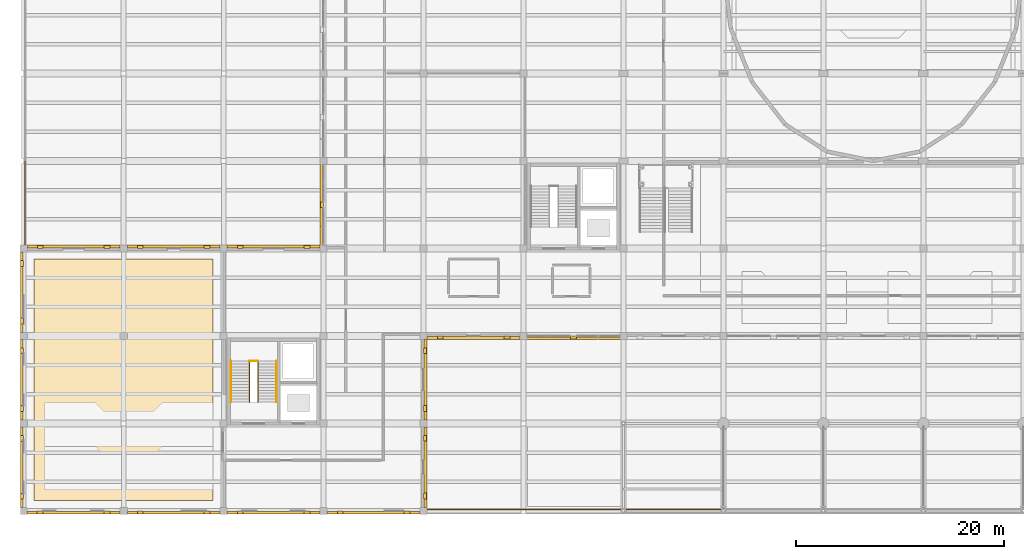
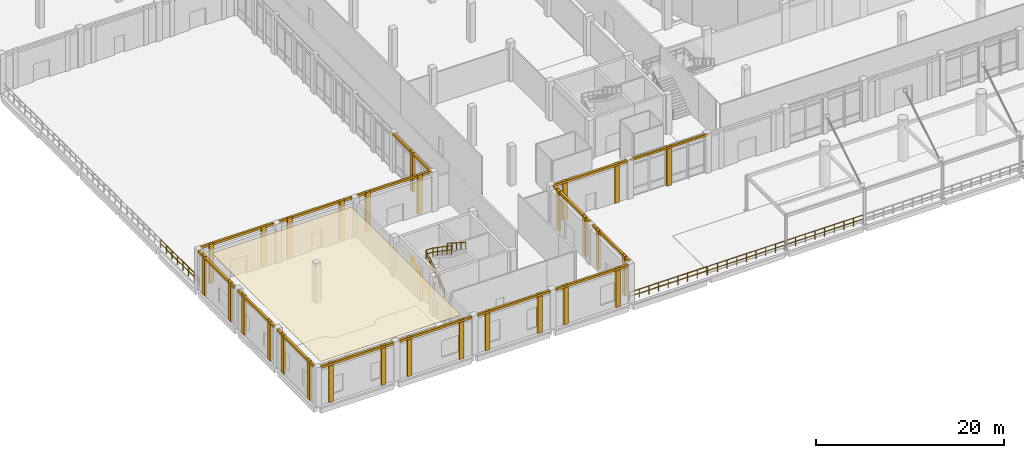
# One storey, part 61 of 71: 44 coverings, 9 railings.
"""IFC4 building model written with IfcOpenShell, lengths in metres."""

from ifc_helpers import new_model, si_unit, direction, frame, origin, origin_2d, place, context, subcontext, project, spatial, polyline, circle, outline, extrude, material, layer, layer_set, type_object, element, save


model = new_model("IFC4")

# Units and contexts
model_context = context("Model", 3, precision=1e-05, world=origin(), true_north=direction((0.0, 1.0)))
body_context = subcontext(model_context, "Body", "Model", "MODEL_VIEW")
ifc_project = project(units=[si_unit("LENGTHUNIT", "METRE"), si_unit("AREAUNIT", "SQUARE_METRE"), si_unit("VOLUMEUNIT", "CUBIC_METRE"), si_unit("PLANEANGLEUNIT", "RADIAN"), si_unit("MASSUNIT", "GRAM", prefix="KILO")], contexts=[model_context])

# Site, building, storey
site_placement = place(None, origin())
site = spatial("IfcSite", under=ifc_project, at=site_placement, CompositionType="ELEMENT")
building_placement = place(site_placement, origin())
building = spatial("IfcBuilding", under=site, at=building_placement, Name="Lornevale Opera House", CompositionType="ELEMENT")
storey_placement = place(building_placement, origin())
storey = spatial("IfcBuildingStorey", under=building, at=storey_placement, Name="L01", CompositionType="ELEMENT", Elevation=0.0)

# Coverings
ifc_material_1 = material(Name="Precast Concrete 40 MPa (CSA A23.1 C-1)", Category="concrete")
ifc_layer_1 = layer(ifc_material_1, 0.260009765625)
ifc_layer_set_1 = layer_set([ifc_layer_1], Name="Precast Concrete 40 MPa (CSA A23.1 C-1)")
covering_type_1 = type_object("IfcCoveringType", Name="Postmodern Sandstone Pilaster Rib", PredefinedType="CLADDING", material=ifc_layer_set_1)
covering_1_placement = place(storey_placement, origin())
element("IfcCovering", 1, at=covering_1_placement, inside=storey, type_object=covering_type_1, Name="Postmodern Sandstone Pilaster 0001", PredefinedType="CLADDING", context=body_context, shape_type="SweptSolid", body=[
    extrude(outline(polyline([(8.280029296875, 0.0), (7.719970703125, 0.0), (7.719970703125, -0.280029296875), (8.280029296875, -0.280029296875), (8.280029296875, 0.0)])), origin(), (0.0, 0.0, 1.0), 5.10009765625),
])
covering_2_placement = place(storey_placement, origin())
element("IfcCovering", 2, at=covering_2_placement, inside=storey, type_object=covering_type_1, Name="Postmodern Sandstone Pilaster 0002", PredefinedType="CLADDING", context=body_context, shape_type="SweptSolid", body=[
    extrude(outline(polyline([(1.85400390625, 0.0), (1.2939453125, 0.0), (1.2939453125, -0.280029296875), (1.85400390625, -0.280029296875), (1.85400390625, 0.0)])), origin(), (0.0, 0.0, 1.0), 5.10009765625),
])
covering_3_placement = place(storey_placement, origin())
element("IfcCovering", 3, at=covering_3_placement, inside=storey, type_object=covering_type_1, Name="Postmodern Sandstone Pilaster 0004", PredefinedType="CLADDING", context=body_context, shape_type="SweptSolid", body=[
    extrude(outline(polyline([(0.0, 1.126953125), (0.0, 1.68701171875), (-0.280029296875, 1.68701171875), (-0.280029296875, 1.126953125), (0.0, 1.126953125)])), origin(), (0.0, 0.0, 1.0), 5.10009765625),
])
covering_4_placement = place(storey_placement, origin())
element("IfcCovering", 4, at=covering_4_placement, inside=storey, type_object=covering_type_1, Name="Postmodern Sandstone Pilaster 0005", PredefinedType="CLADDING", context=body_context, shape_type="SweptSolid", body=[
    extrude(outline(polyline([(0.0, 6.68798828125), (0.0, 7.248046875), (-0.280029296875, 7.248046875), (-0.280029296875, 6.68798828125), (0.0, 6.68798828125)])), origin(), (0.0, 0.0, 1.0), 5.10009765625),
])
covering_5_placement = place(storey_placement, origin())
element("IfcCovering", 5, at=covering_5_placement, inside=storey, type_object=covering_type_1, Name="Postmodern Sandstone Pilaster 0007", PredefinedType="CLADDING", context=body_context, shape_type="SweptSolid", body=[
    extrude(outline(polyline([(0.0, 9.548095703125), (0.0, 10.10791015625), (-0.280029296875, 10.10791015625), (-0.280029296875, 9.548095703125), (0.0, 9.548095703125)])), origin(), (0.0, 0.0, 1.0), 5.10009765625),
])
covering_6_placement = place(storey_placement, origin())
element("IfcCovering", 6, at=covering_6_placement, inside=storey, type_object=covering_type_1, Name="Postmodern Sandstone Pilaster 0008", PredefinedType="CLADDING", context=body_context, shape_type="SweptSolid", body=[
    extrude(outline(polyline([(0.0, 15.092041015625), (0.0, 15.652099609375), (-0.280029296875, 15.652099609375), (-0.280029296875, 15.092041015625), (0.0, 15.092041015625)])), origin(), (0.0, 0.0, 1.0), 5.10009765625),
])
covering_7_placement = place(storey_placement, origin())
element("IfcCovering", 7, at=covering_7_placement, inside=storey, type_object=covering_type_1, Name="Postmodern Sandstone Pilaster 0010", PredefinedType="CLADDING", context=body_context, shape_type="SweptSolid", body=[
    extrude(outline(polyline([(1.31591796875, 25.199951171875), (1.8759765625, 25.199951171875), (1.8759765625, 25.47998046875), (1.31591796875, 25.47998046875), (1.31591796875, 25.199951171875)])), origin(), (0.0, 0.0, 1.0), 5.10009765625),
])
covering_8_placement = place(storey_placement, origin())
element("IfcCovering", 8, at=covering_8_placement, inside=storey, type_object=covering_type_1, Name="Postmodern Sandstone Pilaster 0011", PredefinedType="CLADDING", context=body_context, shape_type="SweptSolid", body=[
    extrude(outline(polyline([(7.72412109375, 25.199951171875), (8.283935546875, 25.199951171875), (8.283935546875, 25.47998046875), (7.72412109375, 25.47998046875), (7.72412109375, 25.199951171875)])), origin(), (0.0, 0.0, 1.0), 5.10009765625),
])
covering_9_placement = place(storey_placement, origin())
element("IfcCovering", 9, at=covering_9_placement, inside=storey, type_object=covering_type_1, Name="Postmodern Sandstone Pilaster 0013", PredefinedType="CLADDING", context=body_context, shape_type="SweptSolid", body=[
    extrude(outline(polyline([(0.0, 17.947998046875), (0.0, 18.508056640625), (-0.280029296875, 18.508056640625), (-0.280029296875, 17.947998046875), (0.0, 17.947998046875)])), origin(), (0.0, 0.0, 1.0), 5.10009765625),
])
covering_10_placement = place(storey_placement, origin())
element("IfcCovering", 10, at=covering_10_placement, inside=storey, type_object=covering_type_1, Name="Postmodern Sandstone Pilaster 0014", PredefinedType="CLADDING", context=body_context, shape_type="SweptSolid", body=[
    extrude(outline(polyline([(0.0, 23.491943359375), (0.0, 24.052001953125), (-0.280029296875, 24.052001953125), (-0.280029296875, 23.491943359375), (0.0, 23.491943359375)])), origin(), (0.0, 0.0, 1.0), 5.10009765625),
])
covering_11_placement = place(storey_placement, origin())
element("IfcCovering", 11, at=covering_11_placement, inside=storey, type_object=covering_type_1, Name="Postmodern Sandstone Pilaster 0034", PredefinedType="CLADDING", context=body_context, shape_type="SweptSolid", body=[
    extrude(outline(polyline([(17.884033203125, 0.0), (17.323974609375, 0.0), (17.323974609375, -0.280029296875), (17.884033203125, -0.280029296875), (17.884033203125, 0.0)])), origin(), (0.0, 0.0, 1.0), 5.10009765625),
])
covering_12_placement = place(storey_placement, origin())
element("IfcCovering", 12, at=covering_12_placement, inside=storey, type_object=covering_type_1, Name="Postmodern Sandstone Pilaster 0035", PredefinedType="CLADDING", context=body_context, shape_type="SweptSolid", body=[
    extrude(outline(polyline([(11.47607421875, 0.0), (10.916015625, 0.0), (10.916015625, -0.280029296875), (11.47607421875, -0.280029296875), (11.47607421875, 0.0)])), origin(), (0.0, 0.0, 1.0), 5.10009765625),
])
covering_13_placement = place(storey_placement, origin())
element("IfcCovering", 13, at=covering_13_placement, inside=storey, type_object=covering_type_1, Name="Postmodern Sandstone Pilaster 0037", PredefinedType="CLADDING", context=body_context, shape_type="SweptSolid", body=[
    extrude(outline(polyline([(10.916015625, 25.199951171875), (11.47607421875, 25.199951171875), (11.47607421875, 25.47998046875), (10.916015625, 25.47998046875), (10.916015625, 25.199951171875)])), origin(), (0.0, 0.0, 1.0), 5.10009765625),
])
covering_14_placement = place(storey_placement, origin())
element("IfcCovering", 14, at=covering_14_placement, inside=storey, type_object=covering_type_1, Name="Postmodern Sandstone Pilaster 0038", PredefinedType="CLADDING", context=body_context, shape_type="SweptSolid", body=[
    extrude(outline(polyline([(17.323974609375, 25.199951171875), (17.884033203125, 25.199951171875), (17.884033203125, 25.47998046875), (17.323974609375, 25.47998046875), (17.323974609375, 25.199951171875)])), origin(), (0.0, 0.0, 1.0), 5.10009765625),
])
covering_15_placement = place(storey_placement, origin())
element("IfcCovering", 15, at=covering_15_placement, inside=storey, type_object=covering_type_1, Name="Postmodern Sandstone Pilaster 0046", PredefinedType="CLADDING", context=body_context, shape_type="SweptSolid", body=[
    extrude(outline(polyline([(27.48388671875, 0.0), (26.924072265625, 0.0), (26.924072265625, -0.280029296875), (27.48388671875, -0.280029296875), (27.48388671875, 0.0)])), origin(), (0.0, 0.0, 1.0), 5.10009765625),
])
covering_16_placement = place(storey_placement, origin())
element("IfcCovering", 16, at=covering_16_placement, inside=storey, type_object=covering_type_1, Name="Postmodern Sandstone Pilaster 0047", PredefinedType="CLADDING", context=body_context, shape_type="SweptSolid", body=[
    extrude(outline(polyline([(21.075927734375, 0.0), (20.51611328125, 0.0), (20.51611328125, -0.280029296875), (21.075927734375, -0.280029296875), (21.075927734375, 0.0)])), origin(), (0.0, 0.0, 1.0), 5.10009765625),
])
covering_17_placement = place(storey_placement, origin())
element("IfcCovering", 17, at=covering_17_placement, inside=storey, type_object=covering_type_1, Name="Postmodern Sandstone Pilaster 0049", PredefinedType="CLADDING", context=body_context, shape_type="SweptSolid", body=[
    extrude(outline(polyline([(20.51611328125, 25.199951171875), (21.075927734375, 25.199951171875), (21.075927734375, 25.47998046875), (20.51611328125, 25.47998046875), (20.51611328125, 25.199951171875)])), origin(), (0.0, 0.0, 1.0), 5.10009765625),
])
covering_18_placement = place(storey_placement, origin())
element("IfcCovering", 18, at=covering_18_placement, inside=storey, type_object=covering_type_1, Name="Postmodern Sandstone Pilaster 0050", PredefinedType="CLADDING", context=body_context, shape_type="SweptSolid", body=[
    extrude(outline(polyline([(26.924072265625, 25.199951171875), (27.48388671875, 25.199951171875), (27.48388671875, 25.47998046875), (26.924072265625, 25.47998046875), (26.924072265625, 25.199951171875)])), origin(), (0.0, 0.0, 1.0), 5.10009765625),
])
covering_19_placement = place(storey_placement, origin())
element("IfcCovering", 19, at=covering_19_placement, inside=storey, type_object=covering_type_1, Name="Postmodern Sandstone Pilaster 0058", PredefinedType="CLADDING", context=body_context, shape_type="SweptSolid", body=[
    extrude(outline(polyline([(37.083984375, 0.0), (36.52392578125, 0.0), (36.52392578125, -0.280029296875), (37.083984375, -0.280029296875), (37.083984375, 0.0)])), origin(), (0.0, 0.0, 1.0), 5.10009765625),
])
covering_20_placement = place(storey_placement, origin())
element("IfcCovering", 20, at=covering_20_placement, inside=storey, type_object=covering_type_1, Name="Postmodern Sandstone Pilaster 0059", PredefinedType="CLADDING", context=body_context, shape_type="SweptSolid", body=[
    extrude(outline(polyline([(30.676025390625, 0.0), (30.115966796875, 0.0), (30.115966796875, -0.280029296875), (30.676025390625, -0.280029296875), (30.676025390625, 0.0)])), origin(), (0.0, 0.0, 1.0), 5.10009765625),
])
covering_21_placement = place(storey_placement, origin())
element("IfcCovering", 21, at=covering_21_placement, inside=storey, type_object=covering_type_1, Name="Postmodern Sandstone Pilaster 0061", PredefinedType="CLADDING", context=body_context, shape_type="SweptSolid", body=[
    extrude(outline(polyline([(38.39990234375, 7.251953125), (38.39990234375, 6.69189453125), (38.679931640625, 6.69189453125), (38.679931640625, 7.251953125), (38.39990234375, 7.251953125)])), origin(), (0.0, 0.0, 1.0), 5.10009765625),
])
covering_22_placement = place(storey_placement, origin())
element("IfcCovering", 22, at=covering_22_placement, inside=storey, type_object=covering_type_1, Name="Postmodern Sandstone Pilaster 0062", PredefinedType="CLADDING", context=body_context, shape_type="SweptSolid", body=[
    extrude(outline(polyline([(38.39990234375, 1.7080078125), (38.39990234375, 1.14794921875), (38.679931640625, 1.14794921875), (38.679931640625, 1.7080078125), (38.39990234375, 1.7080078125)])), origin(), (0.0, 0.0, 1.0), 5.10009765625),
])
covering_23_placement = place(storey_placement, origin())
element("IfcCovering", 23, at=covering_23_placement, inside=storey, type_object=covering_type_1, Name="Postmodern Sandstone Pilaster 0064", PredefinedType="CLADDING", context=body_context, shape_type="SweptSolid", body=[
    extrude(outline(polyline([(38.39990234375, 15.652099609375), (38.39990234375, 15.092041015625), (38.679931640625, 15.092041015625), (38.679931640625, 15.652099609375), (38.39990234375, 15.652099609375)])), origin(), (0.0, 0.0, 1.0), 5.10009765625),
])
covering_24_placement = place(storey_placement, origin())
element("IfcCovering", 24, at=covering_24_placement, inside=storey, type_object=covering_type_1, Name="Postmodern Sandstone Pilaster 0065", PredefinedType="CLADDING", context=body_context, shape_type="SweptSolid", body=[
    extrude(outline(polyline([(38.39990234375, 10.10791015625), (38.39990234375, 9.548095703125), (38.679931640625, 9.548095703125), (38.679931640625, 10.10791015625), (38.39990234375, 10.10791015625)])), origin(), (0.0, 0.0, 1.0), 5.10009765625),
])
covering_25_placement = place(storey_placement, origin())
element("IfcCovering", 25, at=covering_25_placement, inside=storey, type_object=covering_type_1, Name="Postmodern Sandstone Mullion Pier 0067", PredefinedType="CLADDING", context=body_context, shape_type="SweptSolid", body=[
    extrude(outline(polyline([(28.800048828125, 29.1201171875), (28.800048828125, 29.679931640625), (28.52001953125, 29.679931640625), (28.52001953125, 29.1201171875), (28.800048828125, 29.1201171875)])), origin(), (0.0, 0.0, 1.0), 5.10009765625),
])
covering_26_placement = place(storey_placement, origin())
element("IfcCovering", 26, at=covering_26_placement, inside=storey, type_object=covering_type_1, Name="Postmodern Sandstone Pilaster 0080", PredefinedType="CLADDING", context=body_context, shape_type="SweptSolid", body=[
    extrude(outline(polyline([(46.68408203125, 16.800048828125), (46.1240234375, 16.800048828125), (46.1240234375, 16.52001953125), (46.68408203125, 16.52001953125), (46.68408203125, 16.800048828125)])), origin(), (0.0, 0.0, 1.0), 5.10009765625),
])
covering_27_placement = place(storey_placement, origin())
element("IfcCovering", 27, at=covering_27_placement, inside=storey, type_object=covering_type_1, Name="Postmodern Sandstone Pilaster 0081", PredefinedType="CLADDING", context=body_context, shape_type="SweptSolid", body=[
    extrude(outline(polyline([(40.27587890625, 16.800048828125), (39.716064453125, 16.800048828125), (39.716064453125, 16.52001953125), (40.27587890625, 16.52001953125), (40.27587890625, 16.800048828125)])), origin(), (0.0, 0.0, 1.0), 5.10009765625),
])
covering_28_placement = place(storey_placement, origin())
element("IfcCovering", 28, at=covering_28_placement, inside=storey, type_object=covering_type_1, Name="Postmodern Sandstone Mullion Pier 0089", PredefinedType="CLADDING", context=body_context, shape_type="SweptSolid", body=[
    extrude(outline(polyline([(53.080078125, 16.800048828125), (52.52001953125, 16.800048828125), (52.52001953125, 16.52001953125), (53.080078125, 16.52001953125), (53.080078125, 16.800048828125)])), origin(), (0.0, 0.0, 1.0), 5.10009765625),
])
ifc_material_2 = material(Name="Queenston Buff Limestone Ashlar Masonry (25 MPa)", Category="masonry")
ifc_layer_2 = layer(ifc_material_2, 0.1201171875)
ifc_layer_set_2 = layer_set([ifc_layer_2], Name="Queenston Buff Limestone Ashlar Masonry (25 MPa)")
covering_type_2 = type_object("IfcCoveringType", Name="Precast Limestone Cornice Band", PredefinedType="CLADDING", material=ifc_layer_set_2)
covering_29_placement = place(storey_placement, frame((0.0, 0.0, 4.820068359375)))
element("IfcCovering", 29, at=covering_29_placement, inside=storey, type_object=covering_type_2, Name="Precast Limestone Cornice Band 0003", PredefinedType="CLADDING", context=body_context, shape_type="SweptSolid", body=[
    extrude(outline(polyline([(9.25, -0.06005859375), (0.324951171875, -0.06005859375), (0.324951171875, -0.320068359375), (9.25, -0.320068359375), (9.25, -0.06005859375)])), origin(), (0.0, 0.0, 1.0), 0.280029296875),
])
covering_30_placement = place(storey_placement, frame((0.0, 0.0, 4.820068359375)))
element("IfcCovering", 30, at=covering_30_placement, inside=storey, type_object=covering_type_2, Name="Precast Limestone Cornice Band 0006", PredefinedType="CLADDING", context=body_context, shape_type="SweptSolid", body=[
    extrude(outline(polyline([(-0.06005859375, 0.324951171875), (-0.06005859375, 8.050048828125), (-0.320068359375, 8.050048828125), (-0.320068359375, 0.324951171875), (-0.06005859375, 0.324951171875)])), origin(), (0.0, 0.0, 1.0), 0.280029296875),
])
covering_31_placement = place(storey_placement, frame((0.0, 0.0, 4.820068359375)))
element("IfcCovering", 31, at=covering_31_placement, inside=storey, type_object=covering_type_2, Name="Precast Limestone Cornice Band 0009", PredefinedType="CLADDING", context=body_context, shape_type="SweptSolid", body=[
    extrude(outline(polyline([(-0.06005859375, 8.75), (-0.06005859375, 16.449951171875), (-0.320068359375, 16.449951171875), (-0.320068359375, 8.75), (-0.06005859375, 8.75)])), origin(), (0.0, 0.0, 1.0), 0.280029296875),
])
covering_32_placement = place(storey_placement, frame((0.0, 0.0, 4.820068359375)))
element("IfcCovering", 32, at=covering_32_placement, inside=storey, type_object=covering_type_2, Name="Precast Limestone Cornice Band 0012", PredefinedType="CLADDING", context=body_context, shape_type="SweptSolid", body=[
    extrude(outline(polyline([(0.35009765625, 25.260009765625), (9.25, 25.260009765625), (9.25, 25.52001953125), (0.35009765625, 25.52001953125), (0.35009765625, 25.260009765625)])), origin(), (0.0, 0.0, 1.0), 0.280029296875),
])
covering_33_placement = place(storey_placement, frame((0.0, 0.0, 4.820068359375)))
element("IfcCovering", 33, at=covering_33_placement, inside=storey, type_object=covering_type_2, Name="Precast Limestone Cornice Band 0015", PredefinedType="CLADDING", context=body_context, shape_type="SweptSolid", body=[
    extrude(outline(polyline([(-0.06005859375, 17.14990234375), (-0.06005859375, 24.85009765625), (-0.320068359375, 24.85009765625), (-0.320068359375, 17.14990234375), (-0.06005859375, 17.14990234375)])), origin(), (0.0, 0.0, 1.0), 0.280029296875),
])
covering_34_placement = place(storey_placement, frame((0.0, 0.0, 4.820068359375)))
element("IfcCovering", 34, at=covering_34_placement, inside=storey, type_object=covering_type_2, Name="Precast Limestone Cornice Band 0036", PredefinedType="CLADDING", context=body_context, shape_type="SweptSolid", body=[
    extrude(outline(polyline([(18.85009765625, -0.06005859375), (9.949951171875, -0.06005859375), (9.949951171875, -0.320068359375), (18.85009765625, -0.320068359375), (18.85009765625, -0.06005859375)])), origin(), (0.0, 0.0, 1.0), 0.280029296875),
])
covering_35_placement = place(storey_placement, frame((0.0, 0.0, 4.820068359375)))
element("IfcCovering", 35, at=covering_35_placement, inside=storey, type_object=covering_type_2, Name="Precast Limestone Cornice Band 0039", PredefinedType="CLADDING", context=body_context, shape_type="SweptSolid", body=[
    extrude(outline(polyline([(9.949951171875, 25.260009765625), (18.85009765625, 25.260009765625), (18.85009765625, 25.52001953125), (9.949951171875, 25.52001953125), (9.949951171875, 25.260009765625)])), origin(), (0.0, 0.0, 1.0), 0.280029296875),
])
covering_36_placement = place(storey_placement, frame((0.0, 0.0, 4.820068359375)))
element("IfcCovering", 36, at=covering_36_placement, inside=storey, type_object=covering_type_2, Name="Precast Limestone Cornice Band 0048", PredefinedType="CLADDING", context=body_context, shape_type="SweptSolid", body=[
    extrude(outline(polyline([(28.449951171875, -0.06005859375), (19.550048828125, -0.06005859375), (19.550048828125, -0.320068359375), (28.449951171875, -0.320068359375), (28.449951171875, -0.06005859375)])), origin(), (0.0, 0.0, 1.0), 0.280029296875),
])
covering_37_placement = place(storey_placement, frame((0.0, 0.0, 4.820068359375)))
element("IfcCovering", 37, at=covering_37_placement, inside=storey, type_object=covering_type_2, Name="Precast Limestone Cornice Band 0051", PredefinedType="CLADDING", context=body_context, shape_type="SweptSolid", body=[
    extrude(outline(polyline([(19.550048828125, 25.260009765625), (28.449951171875, 25.260009765625), (28.449951171875, 25.52001953125), (19.550048828125, 25.52001953125), (19.550048828125, 25.260009765625)])), origin(), (0.0, 0.0, 1.0), 0.280029296875),
])
covering_38_placement = place(storey_placement, frame((0.0, 0.0, 4.820068359375)))
element("IfcCovering", 38, at=covering_38_placement, inside=storey, type_object=covering_type_2, Name="Precast Limestone Cornice Band 0060", PredefinedType="CLADDING", context=body_context, shape_type="SweptSolid", body=[
    extrude(outline(polyline([(38.050048828125, -0.06005859375), (29.14990234375, -0.06005859375), (29.14990234375, -0.320068359375), (38.050048828125, -0.320068359375), (38.050048828125, -0.06005859375)])), origin(), (0.0, 0.0, 1.0), 0.280029296875),
])
covering_39_placement = place(storey_placement, frame((0.0, 0.0, 4.820068359375)))
element("IfcCovering", 39, at=covering_39_placement, inside=storey, type_object=covering_type_2, Name="Precast Limestone Cornice Band 0063", PredefinedType="CLADDING", context=body_context, shape_type="SweptSolid", body=[
    extrude(outline(polyline([(38.4599609375, 8.050048828125), (38.4599609375, 0.35009765625), (38.719970703125, 0.35009765625), (38.719970703125, 8.050048828125), (38.4599609375, 8.050048828125)])), origin(), (0.0, 0.0, 1.0), 0.280029296875),
])
covering_40_placement = place(storey_placement, frame((0.0, 0.0, 4.820068359375)))
element("IfcCovering", 40, at=covering_40_placement, inside=storey, type_object=covering_type_2, Name="Precast Limestone Cornice Band 0066", PredefinedType="CLADDING", context=body_context, shape_type="SweptSolid", body=[
    extrude(outline(polyline([(38.4599609375, 16.449951171875), (38.4599609375, 8.75), (38.719970703125, 8.75), (38.719970703125, 16.449951171875), (38.4599609375, 16.449951171875)])), origin(), (0.0, 0.0, 1.0), 0.280029296875),
])
covering_41_placement = place(storey_placement, frame((0.0, 0.0, 4.840087890625)))
element("IfcCovering", 41, at=covering_41_placement, inside=storey, type_object=covering_type_2, Name="Precast Limestone Cornice Band 0068", PredefinedType="CLADDING", context=body_context, shape_type="SweptSolid", body=[
    extrude(outline(polyline([(28.719970703125, 25.199951171875), (28.719970703125, 33.60009765625), (28.47998046875, 33.60009765625), (28.47998046875, 25.199951171875), (28.719970703125, 25.199951171875)])), origin(), (0.0, 0.0, 1.0), 0.260009765625),
])
covering_42_placement = place(storey_placement, frame((0.0, 0.0, 4.820068359375)))
element("IfcCovering", 42, at=covering_42_placement, inside=storey, type_object=covering_type_2, Name="Precast Limestone Cornice Band 0082", PredefinedType="CLADDING", context=body_context, shape_type="SweptSolid", body=[
    extrude(outline(polyline([(47.64990234375, 16.739990234375), (38.75, 16.739990234375), (38.75, 16.47998046875), (47.64990234375, 16.47998046875), (47.64990234375, 16.739990234375)])), origin(), (0.0, 0.0, 1.0), 0.280029296875),
])
covering_43_placement = place(storey_placement, frame((0.0, 0.0, 4.840087890625)))
element("IfcCovering", 43, at=covering_43_placement, inside=storey, type_object=covering_type_2, Name="Precast Limestone Cornice Band 0090", PredefinedType="CLADDING", context=body_context, shape_type="SweptSolid", body=[
    extrude(outline(polyline([(57.60009765625, 16.719970703125), (48.0, 16.719970703125), (48.0, 16.47998046875), (57.60009765625, 16.47998046875), (57.60009765625, 16.719970703125)])), origin(), (0.0, 0.0, 1.0), 0.260009765625),
])

# Railings
ifc_material_3 = material(Name="Structural Steel CSA G40.21 Grade 350W (350 MPa)", Category="steel")
ifc_layer_3 = layer(ifc_material_3, 0.050048828125)
ifc_layer_set_3 = layer_set([ifc_layer_3], Name="Structural Steel CSA G40.21 Grade 350W (350 MPa)")
railing_type_1 = type_object("IfcRailingType", Name="Stair Well Guardrail 1100", PredefinedType="GUARDRAIL", material=ifc_layer_set_3)
railing_1_placement = place(storey_placement, frame((21.679931640625, 10.4599609375, 0.0)))
element("IfcRailing", 44, at=railing_1_placement, inside=storey, type_object=railing_type_1, Name="ST-10 Inner Well Guard F1", PredefinedType="GUARDRAIL", context=body_context, shape_type="SweptSolid", body=[
    extrude(circle(Radius=0.02392578125, at=origin_2d()), frame((0.0, 0.0, 1.076171875), z_axis=(0.0, 0.823550731654, 0.567242622158), x_axis=(-1.0, 0.0, 0.0)), (0.0, 0.0, 1.0), 4.759765625),
    extrude(circle(Radius=0.02392578125, at=origin_2d()), frame((0.0, 0.0, 0.550048828125), z_axis=(0.0, 0.823550731654, 0.567242622158), x_axis=(-1.0, 0.0, 0.0)), (0.0, 0.0, 1.0), 4.759765625),
    extrude(circle(Radius=0.02099609375, at=origin_2d()), origin(), (0.0, 0.0, 1.0), 1.052001953125),
    extrude(circle(Radius=0.02099609375, at=origin_2d()), frame((0.0, 0.97998046875, 0.675048828125)), (0.0, 0.0, 1.0), 1.052001953125),
    extrude(circle(Radius=0.02099609375, at=origin_2d()), frame((0.0, 1.9599609375, 1.35009765625)), (0.0, 0.0, 1.0), 1.052001953125),
    extrude(circle(Radius=0.02099609375, at=origin_2d()), frame((0.0, 2.93994140625, 2.02490234375)), (0.0, 0.0, 1.0), 1.052001953125),
    extrude(circle(Radius=0.02099609375, at=origin_2d()), frame((0.0, 3.919921875, 2.699951171875)), (0.0, 0.0, 1.0), 1.052001953125),
])
railing_2_placement = place(storey_placement, frame((22.52001953125, 14.3798828125, 2.699951171875)))
element("IfcRailing", 45, at=railing_2_placement, inside=storey, type_object=railing_type_1, Name="ST-10 Inner Well Guard F2", PredefinedType="GUARDRAIL", context=body_context, shape_type="SweptSolid", body=[
    extrude(circle(Radius=0.02392578125, at=origin_2d()), frame((0.0, 0.0, 1.076171875), z_axis=(0.0, -0.823550731654, 0.567242622158), x_axis=(1.0, 0.0, 0.0)), (0.0, 0.0, 1.0), 4.759765625),
    extrude(circle(Radius=0.02392578125, at=origin_2d()), frame((0.0, 0.0, 0.550048828125), z_axis=(0.0, -0.823550731654, 0.567242622158), x_axis=(1.0, 0.0, 0.0)), (0.0, 0.0, 1.0), 4.759765625),
    extrude(circle(Radius=0.02099609375, at=origin_2d()), origin(), (0.0, 0.0, 1.0), 1.052001953125),
    extrude(circle(Radius=0.02099609375, at=origin_2d()), frame((0.0, -0.97998046875, 0.675048828125)), (0.0, 0.0, 1.0), 1.052001953125),
    extrude(circle(Radius=0.02099609375, at=origin_2d()), frame((0.0, -1.9599609375, 1.35009765625)), (0.0, 0.0, 1.0), 1.052001953125),
    extrude(circle(Radius=0.02099609375, at=origin_2d()), frame((0.0, -2.93994140625, 2.02490234375)), (0.0, 0.0, 1.0), 1.052001953125),
    extrude(circle(Radius=0.02099609375, at=origin_2d()), frame((0.0, -3.919921875, 2.699951171875)), (0.0, 0.0, 1.0), 1.052001953125),
])
railing_3_placement = place(storey_placement, frame((21.679931640625, 14.409912109375, 2.699951171875)))
element("IfcRailing", 46, at=railing_3_placement, inside=storey, type_object=railing_type_1, Name="ST-10 Half-Landing Slot Guard", PredefinedType="GUARDRAIL", context=body_context, shape_type="SweptSolid", body=[
    extrude(circle(Radius=0.02392578125, at=origin_2d()), frame((0.0, 0.0, 1.076171875), z_axis=(1.0, 0.0, 0.0), x_axis=(0.0, 1.0, 0.0)), (0.0, 0.0, 1.0), 0.840087890625),
    extrude(circle(Radius=0.02392578125, at=origin_2d()), frame((0.0, 0.0, 0.550048828125), z_axis=(1.0, 0.0, 0.0), x_axis=(0.0, 1.0, 0.0)), (0.0, 0.0, 1.0), 0.840087890625),
    extrude(circle(Radius=0.02099609375, at=origin_2d()), origin(), (0.0, 0.0, 1.0), 1.052001953125),
    extrude(circle(Radius=0.02099609375, at=origin_2d()), frame((0.840087890625, 0.0, 0.0)), (0.0, 0.0, 1.0), 1.052001953125),
])
ifc_layer_4 = layer(ifc_material_3, 0.06005859375)
ifc_layer_set_4 = layer_set([ifc_layer_4], Name="Structural Steel CSA G40.21 Grade 350W (350 MPa)")
railing_type_2 = type_object("IfcRailingType", Name="Terrace Tubular Guardrail 1120", PredefinedType="GUARDRAIL", material=ifc_layer_set_4)
railing_4_placement = place(storey_placement, frame((0.139892578125, 25.25, 0.0)))
element("IfcRailing", 47, at=railing_4_placement, inside=storey, type_object=railing_type_2, Name="Terrace Perimeter Guard L01 0259", PredefinedType="GUARDRAIL", context=body_context, shape_type="SweptSolid", body=[
    extrude(circle(Radius=0.02392578125, at=origin_2d()), frame((0.0, 0.0, 1.09619140625), z_axis=(0.0, 1.0, 0.0), x_axis=(-1.0, 0.0, 0.0)), (0.0, 0.0, 1.0), 8.300048828125),
    extrude(circle(Radius=0.02392578125, at=origin_2d()), frame((0.0, 0.0, 0.56005859375), z_axis=(0.0, 1.0, 0.0), x_axis=(-1.0, 0.0, 0.0)), (0.0, 0.0, 1.0), 8.300048828125),
    extrude(circle(Radius=0.02099609375, at=origin_2d()), origin(), (0.0, 0.0, 1.0), 1.072021484375),
    extrude(circle(Radius=0.02099609375, at=origin_2d()), frame((0.0, 1.185791015625, 0.0)), (0.0, 0.0, 1.0), 1.072021484375),
    extrude(circle(Radius=0.02099609375, at=origin_2d()), frame((0.0, 2.371337890625, 0.0)), (0.0, 0.0, 1.0), 1.072021484375),
    extrude(circle(Radius=0.02099609375, at=origin_2d()), frame((0.0, 3.55712890625, 0.0)), (0.0, 0.0, 1.0), 1.072021484375),
    extrude(circle(Radius=0.02099609375, at=origin_2d()), frame((0.0, 4.742919921875, 0.0)), (0.0, 0.0, 1.0), 1.072021484375),
    extrude(circle(Radius=0.02099609375, at=origin_2d()), frame((0.0, 5.9287109375, 0.0)), (0.0, 0.0, 1.0), 1.072021484375),
    extrude(circle(Radius=0.02099609375, at=origin_2d()), frame((0.0, 7.1142578125, 0.0)), (0.0, 0.0, 1.0), 1.072021484375),
    extrude(circle(Radius=0.02099609375, at=origin_2d()), frame((0.0, 8.300048828125, 0.0)), (0.0, 0.0, 1.0), 1.072021484375),
])
for number, where, name in (
    (48, (38.449951171875, 0.139892578125, 0.0), "Terrace Perimeter Guard L01 0264"),
    (49, (48.050048828125, 0.139892578125, 0.0), "Terrace Perimeter Guard L01 0267"),
    (50, (57.64990234375, 0.139892578125, 0.0), "Terrace Perimeter Guard L01 0269"),
):
    element("IfcRailing", number, at=place(storey_placement, frame(where)), inside=storey, type_object=railing_type_2, Name=name, PredefinedType="GUARDRAIL", context=body_context, shape_type="SweptSolid", body=[
        extrude(circle(Radius=0.02392578125, at=origin_2d()), frame((0.0, 0.0, 1.09619140625), z_axis=(1.0, 0.0, 0.0), x_axis=(0.0, 1.0, 0.0)), (0.0, 0.0, 1.0), 9.5),
        extrude(circle(Radius=0.02392578125, at=origin_2d()), frame((0.0, 0.0, 0.56005859375), z_axis=(1.0, 0.0, 0.0), x_axis=(0.0, 1.0, 0.0)), (0.0, 0.0, 1.0), 9.5),
        extrude(circle(Radius=0.02099609375, at=origin_2d()), origin(), (0.0, 0.0, 1.0), 1.072021484375),
        extrude(circle(Radius=0.02099609375, at=origin_2d()), frame((1.1875, 0.0, 0.0)), (0.0, 0.0, 1.0), 1.072021484375),
        extrude(circle(Radius=0.02099609375, at=origin_2d()), frame((2.375, 0.0, 0.0)), (0.0, 0.0, 1.0), 1.072021484375),
        extrude(circle(Radius=0.02099609375, at=origin_2d()), frame((3.5625, 0.0, 0.0)), (0.0, 0.0, 1.0), 1.072021484375),
        extrude(circle(Radius=0.02099609375, at=origin_2d()), frame((4.75, 0.0, 0.0)), (0.0, 0.0, 1.0), 1.072021484375),
        extrude(circle(Radius=0.02099609375, at=origin_2d()), frame((5.9375, 0.0, 0.0)), (0.0, 0.0, 1.0), 1.072021484375),
        extrude(circle(Radius=0.02099609375, at=origin_2d()), frame((7.125, 0.0, 0.0)), (0.0, 0.0, 1.0), 1.072021484375),
        extrude(circle(Radius=0.02099609375, at=origin_2d()), frame((8.3125, 0.0, 0.0)), (0.0, 0.0, 1.0), 1.072021484375),
        extrude(circle(Radius=0.02099609375, at=origin_2d()), frame((9.5, 0.0, 0.0)), (0.0, 0.0, 1.0), 1.072021484375),
    ])
ifc_layer_5 = layer(ifc_material_3, 0.048095703125)
ifc_layer_set_5 = layer_set([ifc_layer_5], Name="Structural Steel CSA G40.21 Grade 350W (350 MPa)")
railing_type_3 = type_object("IfcRailingType", Name="Tubular Stair Handrail 915", PredefinedType="HANDRAIL", material=ifc_layer_set_5)
railing_5_placement = place(storey_placement, frame((19.919921875, 10.4599609375, 0.18310546875)))
element("IfcRailing", 51, at=railing_5_placement, inside=storey, type_object=railing_type_3, Name="ST-10 Outer Handrail F1", PredefinedType="HANDRAIL", context=body_context, shape_type="SweptSolid", body=[
    extrude(circle(Radius=0.02392578125, at=origin_2d()), frame((0.0, 0.0, 0.89111328125), z_axis=(0.0, 0.84119549742, 0.540731111663), x_axis=(-1.0, 0.0, 0.0)), (0.0, 0.0, 1.0), 4.659912109375),
    extrude(circle(Radius=0.02099609375, at=origin_2d()), origin(), (0.0, 0.0, 1.0), 0.866943359375),
    extrude(circle(Radius=0.02099609375, at=origin_2d()), frame((0.0, 0.97998046875, 0.6298828125)), (0.0, 0.0, 1.0), 0.866943359375),
    extrude(circle(Radius=0.02099609375, at=origin_2d()), frame((0.0, 1.9599609375, 1.259765625)), (0.0, 0.0, 1.0), 0.866943359375),
    extrude(circle(Radius=0.02099609375, at=origin_2d()), frame((0.0, 2.93994140625, 1.889892578125)), (0.0, 0.0, 1.0), 0.866943359375),
    extrude(circle(Radius=0.02099609375, at=origin_2d()), frame((0.0, 3.919921875, 2.519775390625)), (0.0, 0.0, 1.0), 0.866943359375),
])
railing_6_placement = place(storey_placement, frame((24.280029296875, 14.3798828125, 2.883056640625)))
element("IfcRailing", 52, at=railing_6_placement, inside=storey, type_object=railing_type_3, Name="ST-10 Outer Handrail F2", PredefinedType="HANDRAIL", context=body_context, shape_type="SweptSolid", body=[
    extrude(circle(Radius=0.02392578125, at=origin_2d()), frame((0.0, 0.0, 0.89111328125), z_axis=(0.0, -0.841171666519, 0.540768182723), x_axis=(1.0, 0.0, 0.0)), (0.0, 0.0, 1.0), 4.66015625),
    extrude(circle(Radius=0.02099609375, at=origin_2d()), origin(), (0.0, 0.0, 1.0), 0.866943359375),
    extrude(circle(Radius=0.02099609375, at=origin_2d()), frame((0.0, -0.97998046875, 0.6298828125)), (0.0, 0.0, 1.0), 0.866943359375),
    extrude(circle(Radius=0.02099609375, at=origin_2d()), frame((0.0, -1.9599609375, 1.260009765625)), (0.0, 0.0, 1.0), 0.866943359375),
    extrude(circle(Radius=0.02099609375, at=origin_2d()), frame((0.0, -2.93994140625, 1.89013671875)), (0.0, 0.0, 1.0), 0.866943359375),
    extrude(circle(Radius=0.02099609375, at=origin_2d()), frame((0.0, -3.919921875, 2.52001953125)), (0.0, 0.0, 1.0), 0.866943359375),
])

# Covering
ifc_material_4 = material(Name="White Oak Acoustic Panelling", Category="wood")
ifc_layer_6 = layer(ifc_material_4, 0.050048828125)
ifc_layer_set_6 = layer_set([ifc_layer_6], Name="White Oak Acoustic Panelling")
covering_type_3 = type_object("IfcCoveringType", Name="White Oak Acoustic Ceiling Liner", PredefinedType="CEILING", material=ifc_layer_set_6)
covering_44_placement = place(storey_placement, frame((0.0, 0.0, 4.64990234375)))
element("IfcCovering", 53, at=covering_44_placement, inside=storey, type_object=covering_type_3, Name="White Oak Acoustic Ceiling Liner 02", PredefinedType="CEILING", context=body_context, shape_type="SweptSolid", body=[
    extrude(outline(polyline([(1.0, 1.0), (18.199951171875, 1.0), (18.199951171875, 24.199951171875), (1.0, 24.199951171875), (1.0, 1.0)])), origin(), (0.0, 0.0, 1.0), 0.050048828125),
])

save(model, "model.ifc")
